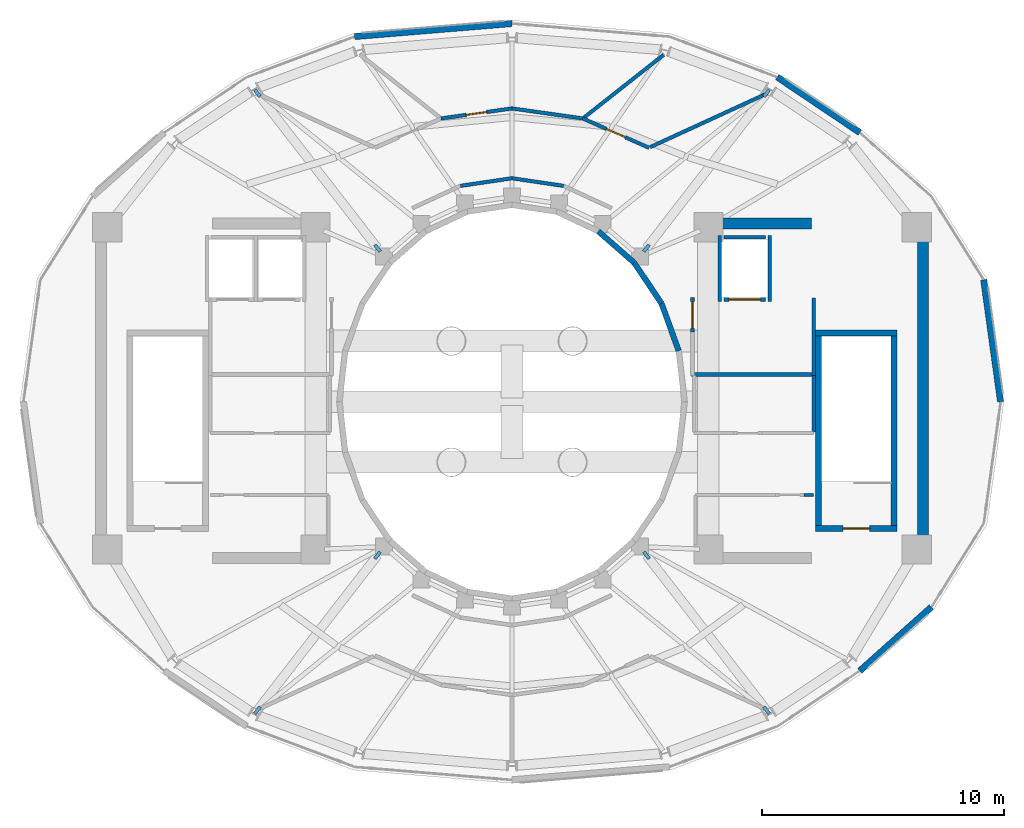
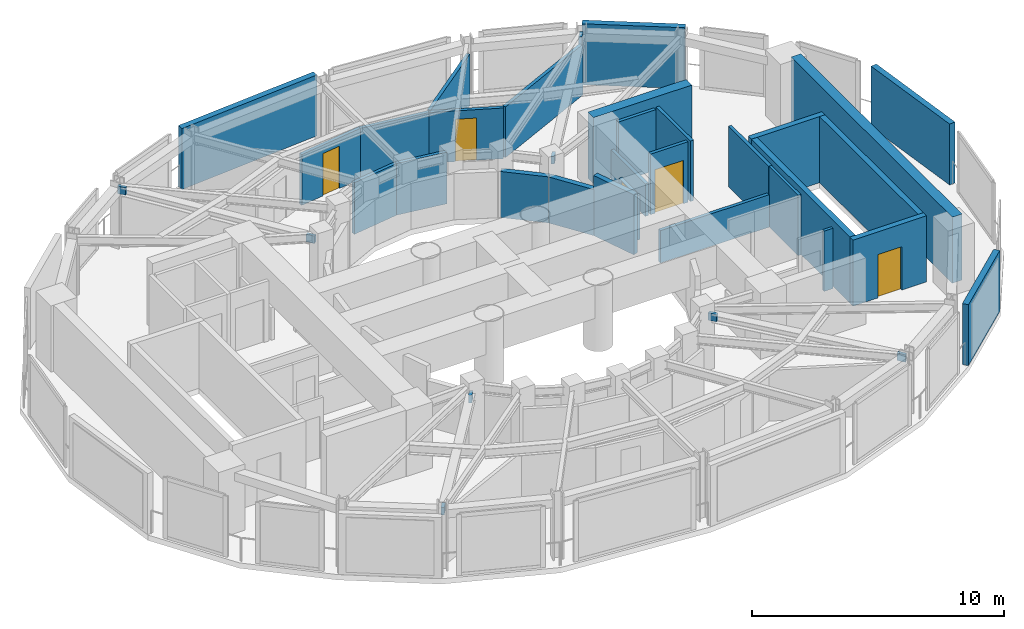
# One storey, part 16 of 17: 29 walls, 8 discrete accessories, 5 doors, 5 openings.
"""IFC4 building model written with IfcOpenShell, lengths in metres."""

from ifc_helpers import new_model, si_unit, direction, frame, frame_2d, origin, origin_2d, place, context, subcontext, project, spatial, rectangle, extrude, material, layer, layer_set, type_object, element, fill, save


model = new_model("IFC4")

# Units and contexts
model_context = context("Model", 3, precision=1e-05, world=origin(), true_north=direction((0.0, 1.0)))
body_context = subcontext(model_context, "Body", "Model", "MODEL_VIEW")
ifc_project = project(units=[si_unit("LENGTHUNIT", "METRE"), si_unit("AREAUNIT", "SQUARE_METRE"), si_unit("VOLUMEUNIT", "CUBIC_METRE"), si_unit("PLANEANGLEUNIT", "RADIAN"), si_unit("MASSUNIT", "GRAM", prefix="KILO")], contexts=[model_context])

# Site, building, storey
site_placement = place(None, origin())
site = spatial("IfcSite", under=ifc_project, at=site_placement, CompositionType="ELEMENT")
building_placement = place(site_placement, origin())
building = spatial("IfcBuilding", under=site, at=building_placement, Name="Solvane Sanctuary Tower", CompositionType="ELEMENT")
storey_placement = place(building_placement, frame((0.0, 0.0, 276.39990234375)))
storey = spatial("IfcBuildingStorey", under=building, at=storey_placement, Name="L84", CompositionType="ELEMENT", Elevation=276.39990234375)

# Walls
ifc_material_1 = material(Name="Concrete C50/60", Category="concrete")
ifc_layer_1 = layer(ifc_material_1, 0.449951171875, Name="Concrete C50/60")
ifc_layer_set_1 = layer_set([ifc_layer_1], Name="Concrete C50/60")
wall_type_1 = type_object("IfcWallType", Name="Wall W-CORE-450", PredefinedType="SHEAR", material=ifc_layer_set_1)
wall_1_placement = place(storey_placement, frame((48.949951171875, 17.050048828125, 0.0), z_axis=(0.0, 0.0, 1.0), x_axis=(0.0, 1.0, 0.0)))
element("IfcWall", 1, at=wall_1_placement, inside=storey, type_object=wall_type_1, Name="L84 Core Shear Wall EC-E", PredefinedType="SHEAR", context=body_context, shape_type="SweptSolid", body=[
    extrude(rectangle(XDim=12.800048828125, YDim=0.449951171875, at=frame_2d((6.39990234375, 0.0))), origin(), (0.0, 0.0, 1.0), 3.2001953125),
])
wall_2_placement = place(storey_placement, frame((39.85009765625, 30.35009765625, 0.0), z_axis=(0.0, 0.0, 1.0), x_axis=(1.0, 0.0, 0.0)))
element("IfcWall", 2, at=wall_2_placement, inside=storey, type_object=wall_type_1, Name="L84 Core Shear Wall EC-N", PredefinedType="SHEAR", context=body_context, shape_type="SweptSolid", body=[
    extrude(rectangle(XDim=4.5, YDim=0.449951171875, at=frame_2d((2.25, 0.0))), origin(), (0.0, 0.0, 1.0), 3.2001953125),
])
ifc_material_2 = material(Name="Acoustic Gypsum Partition Board")
ifc_layer_2 = layer(ifc_material_2, 0.14990234375, Name="Acoustic Gypsum Partition Board")
ifc_layer_set_2 = layer_set([ifc_layer_2], Name="Acoustic Gypsum Partition Board")
wall_type_2 = type_object("IfcWallType", Name="Wall W-CORR-150", PredefinedType="PARTITIONING", material=ifc_layer_set_2)
wall_3_placement = place(storey_placement, frame((39.39990234375, 24.1201171875, 0.0), z_axis=(0.0, 0.0, 1.0), x_axis=(1.0, 0.0, 0.0)))
element("IfcWall", 3, at=wall_3_placement, inside=storey, type_object=wall_type_2, Name="L84 East Firefighting Lobby South Wall", PredefinedType="PARTITIONING", context=body_context, shape_type="SweptSolid", body=[
    extrude(rectangle(XDim=5.080078125, YDim=0.14990234375, at=frame_2d((2.5400390625, 0.0))), origin(), (0.0, 0.0, 1.0), 1.570068359375),
])
wall_4_placement = place(storey_placement, frame((44.449951171875, 24.080078125, 0.0), z_axis=(0.0, 0.0, 1.0), x_axis=(0.0, 1.0, 0.0)))
element("IfcWall", 4, at=wall_4_placement, inside=storey, type_object=wall_type_2, Name="L84 East Firefighting Lobby East Wall", PredefinedType="PARTITIONING", context=body_context, shape_type="SweptSolid", body=[
    extrude(rectangle(XDim=3.199951171875, YDim=0.14990234375, at=frame_2d((1.60009765625, 0.0))), origin(), (0.0, 0.0, 1.0), 2.925048828125),
])

# Wall, opening, door
wall_5_placement = place(storey_placement, frame((39.449951171875, 25.87109375, 0.0), z_axis=(0.0, 0.0, 1.0), x_axis=(0.0, 1.0, 0.0)))
wall_5 = element("IfcWall", 5, at=wall_5_placement, inside=storey, type_object=wall_type_2, Name="L84 East Firefighting Lobby West Wall", PredefinedType="PARTITIONING", context=body_context, shape_type="SweptSolid", body=[
    extrude(rectangle(XDim=1.419921875, YDim=0.14990234375, at=frame_2d((0.7099609375, 0.0))), origin(), (0.0, 0.0, 1.0), 2.16015625),
])
opening_1_placement = place(wall_5_placement, frame((0.159912109375, 0.0, 0.0)))
opening_1 = element("IfcOpeningElement", 6, at=opening_1_placement, cuts=wall_5, Name="Opening D-L84-04", PredefinedType="OPENING", context=body_context, shape_type="SweptSolid", body=[
    extrude(rectangle(XDim=1.10009765625, YDim=2.10009765625, at=frame_2d((0.550048828125, 1.050048828125))), frame((0.0, 0.0849609375, 0.0), z_axis=(0.0, -1.0, 0.0), x_axis=(1.0, 0.0, 0.0)), (0.0, 0.0, 1.0), 0.169921875),
])
ifc_material_3 = material(Name="Architectural Stainless Steel 316", Category="steel")
door_type_1 = type_object("IfcDoorType", Name="Door D-FFL", OperationType="NOTDEFINED", PredefinedType="DOOR", material=ifc_material_3)
door_1_placement = place(opening_1_placement, origin())
door_1 = element("IfcDoor", 7, at=door_1_placement, inside=storey, type_object=door_type_1, Name="L84 East Firefighting Lobby Fire Door", OperationType="SINGLE_SWING_LEFT", OverallHeight=2.10009765625, OverallWidth=1.10009765625, PredefinedType="DOOR", context=body_context, shape_type="SweptSolid", body=[
    extrude(rectangle(XDim=1.10009765625, YDim=2.10009765625, at=frame_2d((0.550048828125, 1.050048828125))), frame((0.0, 0.02490234375, 0.0), z_axis=(0.0, -1.0, 0.0), x_axis=(1.0, 0.0, 0.0)), (0.0, 0.0, 1.0), 0.050048828125),
])
fill(opening_1, door_1)

# Walls
for number, where, z_axis, x_axis, name in (
    (8, (34.12744140625, 31.90576171875, 0.0), (0.0, 0.0, 1.0), (-0.989268584896, 0.146108408166, 0.0), "L84 Light-Well Corridor Rim Wall N2"),
    (9, (32.0, 32.219970703125, 0.0), (0.0, 0.0, 1.0), (-0.989268584896, -0.146108408166, 0.0), "L84 Light-Well Corridor Rim Wall N3"),
):
    element("IfcWall", number, at=place(storey_placement, frame(where, z_axis=z_axis, x_axis=x_axis)), inside=storey, type_object=wall_type_2, Name=name, PredefinedType="PARTITIONING", context=body_context, shape_type="SweptSolid", body=[
        extrude(rectangle(XDim=2.150634765625, YDim=0.14990234375, at=frame_2d((1.0751953125, 0.0))), origin(), (0.0, 0.0, 1.0), 2.5009765625),
    ])
wall_6_placement = place(storey_placement, frame((37.699951171875, 33.501953125, 0.0), z_axis=(0.0, 0.0, 1.0), x_axis=(0.908705087361, 0.417438695144, 0.0)))
element("IfcWall", 10, at=wall_6_placement, inside=storey, type_object=wall_type_2, Name="L84 Mechanical Plant Radial Wall 060", PredefinedType="PARTITIONING", context=body_context, shape_type="SweptSolid", body=[
    extrude(rectangle(XDim=5.3173828125, YDim=0.14990234375, at=frame_2d((2.65869140625, 0.0))), origin(), (0.0, 0.0, 1.0), 2.455078125),
])
wall_7_placement = place(storey_placement, frame((34.968017578125, 34.7216796875, 0.0), z_axis=(0.0, 0.0, 1.0), x_axis=(0.785483941074, 0.618882039096, 0.0)))
element("IfcWall", 11, at=wall_7_placement, inside=storey, type_object=wall_type_2, Name="L84 Mechanical Plant Radial Wall 075", PredefinedType="PARTITIONING", context=body_context, shape_type="SweptSolid", body=[
    extrude(rectangle(XDim=4.186767578125, YDim=0.14990234375, at=frame_2d((2.09326171875, 0.0))), origin(), (0.0, 0.0, 1.0), 2.5009765625),
])

# Wall, opening, door
wall_8_placement = place(storey_placement, frame((37.65673828125, 33.474609375, 0.0), z_axis=(0.0, 0.0, 1.0), x_axis=(-0.914100192658, 0.405488394141, 0.0)))
wall_8 = element("IfcWall", 12, at=wall_8_placement, inside=storey, type_object=wall_type_2, Name="L84 Plant Corridor Wall 1", PredefinedType="PARTITIONING", context=body_context, shape_type="SweptSolid", body=[
    extrude(rectangle(XDim=2.997314453125, YDim=0.14990234375, at=frame_2d((1.49853515625, 0.0))), origin(), (0.0, 0.0, 1.0), 2.455078125),
])
opening_2_placement = place(wall_8_placement, frame((1.073486328125, 0.0, 0.0)))
opening_2 = element("IfcOpeningElement", 13, at=opening_2_placement, cuts=wall_8, Name="Opening D-L84-09", PredefinedType="OPENING", context=body_context, shape_type="SweptSolid", body=[
    extrude(rectangle(XDim=0.85009765625, YDim=2.050048828125, at=frame_2d((0.425048828125, 1.02490234375))), frame((0.0, 0.0849609375, 0.0), z_axis=(0.0, -1.0, 0.0), x_axis=(1.0, 0.0, 0.0)), (0.0, 0.0, 1.0), 0.169921875),
])
door_type_2 = type_object("IfcDoorType", Name="Door D-RISER", OperationType="NOTDEFINED", PredefinedType="DOOR", material=ifc_material_3)
door_2_placement = place(opening_2_placement, origin())
door_2 = element("IfcDoor", 14, at=door_2_placement, inside=storey, type_object=door_type_2, Name="L84 Plant Room Door 1", OperationType="SINGLE_SWING_RIGHT", OverallHeight=2.050048828125, OverallWidth=0.85009765625, PredefinedType="DOOR", context=body_context, shape_type="SweptSolid", body=[
    extrude(rectangle(XDim=0.85009765625, YDim=2.050048828125, at=frame_2d((0.425048828125, 1.02490234375))), frame((0.0, 0.02490234375, 0.0), z_axis=(0.0, -1.0, 0.0), x_axis=(1.0, 0.0, 0.0)), (0.0, 0.0, 1.0), 0.050048828125),
])
fill(opening_2, door_2)

# Wall
wall_9_placement = place(storey_placement, frame((34.932373046875, 34.685546875, 0.0), z_axis=(0.0, 0.0, 1.0), x_axis=(-0.990167445312, 0.139887205436, 0.0)))
element("IfcWall", 15, at=wall_9_placement, inside=storey, type_object=wall_type_2, Name="L84 Plant Corridor Wall 2", PredefinedType="PARTITIONING", context=body_context, shape_type="SweptSolid", body=[
    extrude(rectangle(XDim=2.96337890625, YDim=0.14990234375, at=frame_2d((1.481689453125, 0.0))), origin(), (0.0, 0.0, 1.0), 2.455078125),
])

# Wall, opening, door
wall_10_placement = place(storey_placement, frame((32.001953125, 35.10009765625, 0.0), z_axis=(0.0, 0.0, 1.0), x_axis=(-0.990167445312, -0.139887205436, 0.0)))
wall_10 = element("IfcWall", 16, at=wall_10_placement, inside=storey, type_object=wall_type_2, Name="L84 Plant Corridor Wall 2", PredefinedType="PARTITIONING", context=body_context, shape_type="SweptSolid", body=[
    extrude(rectangle(XDim=2.96337890625, YDim=0.14990234375, at=frame_2d((1.481689453125, 0.0))), origin(), (0.0, 0.0, 1.0), 2.455078125),
])
opening_3_placement = place(wall_10_placement, frame((1.056640625, 0.0, 0.0)))
opening_3 = element("IfcOpeningElement", 17, at=opening_3_placement, cuts=wall_10, Name="Opening D-L84-10", PredefinedType="OPENING", context=body_context, shape_type="SweptSolid", body=[
    extrude(rectangle(XDim=0.85009765625, YDim=2.050048828125, at=frame_2d((0.425048828125, 1.02490234375))), frame((0.0, 0.0849609375, 0.0), z_axis=(0.0, -1.0, 0.0), x_axis=(1.0, 0.0, 0.0)), (0.0, 0.0, 1.0), 0.169921875),
])
door_3_placement = place(opening_3_placement, origin())
door_3 = element("IfcDoor", 18, at=door_3_placement, inside=storey, type_object=door_type_2, Name="L84 Plant Room Door 2", OperationType="SINGLE_SWING_LEFT", OverallHeight=2.050048828125, OverallWidth=0.85009765625, PredefinedType="DOOR", context=body_context, shape_type="SweptSolid", body=[
    extrude(rectangle(XDim=0.85009765625, YDim=2.050048828125, at=frame_2d((0.425048828125, 1.02490234375))), frame((0.0, 0.02490234375, 0.0), z_axis=(0.0, -1.0, 0.0), x_axis=(1.0, 0.0, 0.0)), (0.0, 0.0, 1.0), 0.050048828125),
])
fill(opening_3, door_3)

# Walls
ifc_material_4 = material(Name="Precast concrete C40/50", Category="concrete")
ifc_layer_3 = layer(ifc_material_4, 0.260009765625, Name="Precast concrete C40/50")
ifc_layer_set_3 = layer_set([ifc_layer_3], Name="Precast concrete C40/50")
wall_type_3 = type_object("IfcWallType", Name="Wall W-EXT-250", PredefinedType="STANDARD", material=ifc_layer_set_3)
wall_11_placement = place(storey_placement, frame((52.159912109375, 23.0, 0.0), z_axis=(0.0, 0.0, 1.0), x_axis=(-0.137231475917, 0.990539005803, 0.0)))
element("IfcWall", 19, at=wall_11_placement, inside=storey, type_object=wall_type_3, Name="L84 Crown Acoustic Louvred Wall 00", PredefinedType="STANDARD", context=body_context, shape_type="SweptSolid", body=[
    extrude(rectangle(XDim=5.07568359375, YDim=0.260009765625, at=frame_2d((2.537841796875, 0.0))), origin(), (0.0, 0.0, 1.0), 2.9501953125),
])
wall_12_placement = place(storey_placement, frame((46.347900390625, 34.106201171875, 0.0), z_axis=(0.0, 0.0, 1.0), x_axis=(-0.829890129343, 0.557926852929, 0.0)))
element("IfcWall", 20, at=wall_12_placement, inside=storey, type_object=wall_type_3, Name="L84 Crown Acoustic Louvred Wall 03", PredefinedType="STANDARD", context=body_context, shape_type="SweptSolid", body=[
    extrude(rectangle(XDim=4.097900390625, YDim=0.260009765625, at=frame_2d((2.048828125, 0.0))), origin(), (0.0, 0.0, 1.0), 2.9501953125),
])
wall_13_placement = place(storey_placement, frame((32.0, 38.60498046875, 0.0), z_axis=(0.0, 0.0, 1.0), x_axis=(-0.996573859149, -0.082707576809, 0.0)))
element("IfcWall", 21, at=wall_13_placement, inside=storey, type_object=wall_type_3, Name="L84 Crown Acoustic Louvred Wall 06", PredefinedType="STANDARD", context=body_context, shape_type="SweptSolid", body=[
    extrude(rectangle(XDim=6.517578125, YDim=0.260009765625, at=frame_2d((3.2587890625, 0.0))), origin(), (0.0, 0.0, 1.0), 2.9501953125),
])
wall_14_placement = place(storey_placement, frame((46.347900390625, 11.893798828125, 0.0), z_axis=(0.0, 0.0, 1.0), x_axis=(0.746567900399, 0.665309228926, 0.0)))
element("IfcWall", 22, at=wall_14_placement, inside=storey, type_object=wall_type_3, Name="L84 Crown Acoustic Louvred Wall 21", PredefinedType="STANDARD", context=body_context, shape_type="SweptSolid", body=[
    extrude(rectangle(XDim=3.95703125, YDim=0.260009765625, at=frame_2d((1.978515625, 0.0))), origin(), (0.0, 0.0, 1.0), 2.9501953125),
])
ifc_layer_4 = layer(ifc_material_4, 0.22998046875, Name="Precast concrete C40/50")
ifc_layer_set_4 = layer_set([ifc_layer_4], Name="Precast concrete C40/50")
wall_type_4 = type_object("IfcWallType", Name="Wall W-EXT-SP220", PredefinedType="STANDARD", material=ifc_layer_set_4)
wall_15_placement = place(storey_placement, frame((38.87744140625, 25.1015625, 0.0), z_axis=(0.0, 0.0, 1.0), x_axis=(-0.341423187295, 0.93990968033, 0.0)))
element("IfcWall", 23, at=wall_15_placement, inside=storey, type_object=wall_type_4, Name="L84 Central Light-Well Wall 01", PredefinedType="STANDARD", context=body_context, shape_type="SweptSolid", body=[
    extrude(rectangle(XDim=2.083740234375, YDim=0.22998046875, at=frame_2d((1.0419921875, 0.0))), origin(), (0.0, 0.0, 1.0), 2.91015625),
])
wall_16_placement = place(storey_placement, frame((38.166015625, 27.06005859375, 0.0), z_axis=(0.0, 0.0, 1.0), x_axis=(-0.558197800898, 0.829707909492, 0.0)))
element("IfcWall", 24, at=wall_16_placement, inside=storey, type_object=wall_type_4, Name="L84 Central Light-Well Wall 02", PredefinedType="STANDARD", context=body_context, shape_type="SweptSolid", body=[
    extrude(rectangle(XDim=2.02685546875, YDim=0.22998046875, at=frame_2d((1.013427734375, 0.0))), origin(), (0.0, 0.0, 1.0), 2.22998046875),
])
wall_17_placement = place(storey_placement, frame((37.03466796875, 28.74169921875, 0.0), z_axis=(0.0, 0.0, 1.0), x_axis=(-0.752576694707, 0.658504607869, 0.0)))
element("IfcWall", 25, at=wall_17_placement, inside=storey, type_object=wall_type_4, Name="L84 Central Light-Well Wall 03", PredefinedType="STANDARD", context=body_context, shape_type="SweptSolid", body=[
    extrude(rectangle(XDim=1.95947265625, YDim=0.22998046875, at=frame_2d((0.979736328125, 0.0))), origin(), (0.0, 0.0, 1.0), 2.22998046875),
])
ifc_layer_5 = layer(ifc_material_2, 0.125, Name="Acoustic Gypsum Partition Board")
ifc_layer_set_5 = layer_set([ifc_layer_5], Name="Acoustic Gypsum Partition Board")
wall_type_5 = type_object("IfcWallType", Name="Wall W-PART-125", PredefinedType="PARTITIONING", material=ifc_layer_set_5)
wall_18_placement = place(storey_placement, frame((44.0400390625, 19.159912109375, 0.0), z_axis=(0.0, 0.0, 1.0), x_axis=(1.0, 0.0, 0.0)))
element("IfcWall", 26, at=wall_18_placement, inside=storey, type_object=wall_type_5, Name="L84 Reclaimed Room Partition PLE", PredefinedType="PARTITIONING", context=body_context, shape_type="SweptSolid", body=[
    extrude(rectangle(XDim=0.409912109375, YDim=0.125, at=frame_2d((0.205078125, 0.0))), origin(), (0.0, 0.0, 1.0), 2.925048828125),
])
wall_19_placement = place(storey_placement, frame((44.449951171875, 21.760009765625, 0.0), z_axis=(0.0, 0.0, 1.0), x_axis=(0.0, 1.0, 0.0)))
element("IfcWall", 27, at=wall_19_placement, inside=storey, type_object=wall_type_5, Name="L84 Reclaimed Room Closer Wall PME-2", PredefinedType="PARTITIONING", context=body_context, shape_type="SweptSolid", body=[
    extrude(rectangle(XDim=2.320068359375, YDim=0.125, at=frame_2d((1.16015625, 0.0))), origin(), (0.0, 0.0, 1.0), 2.925048828125),
])

# Wall, opening, door
ifc_layer_6 = layer(ifc_material_1, 0.14990234375, Name="Concrete C50/60")
ifc_layer_set_6 = layer_set([ifc_layer_6], Name="Concrete C50/60")
wall_type_6 = type_object("IfcWallType", Name="Wall W-SHAFT-150", PredefinedType="SOLIDWALL", material=ifc_layer_set_6)
wall_20_placement = place(storey_placement, frame((40.739990234375, 27.219970703125, 0.0), z_axis=(0.0, 0.0, 1.0), x_axis=(1.0, 0.0, 0.0)))
wall_20 = element("IfcWall", 28, at=wall_20_placement, inside=storey, type_object=wall_type_6, Name="L84 FFL-2 Lift Shaft Wall F", PredefinedType="SOLIDWALL", context=body_context, shape_type="SweptSolid", body=[
    extrude(rectangle(XDim=1.719970703125, YDim=0.14990234375, at=frame_2d((0.85986328125, 0.0))), origin(), (0.0, 0.0, 1.0), 2.925048828125),
])
opening_4_placement = place(wall_20_placement, frame((0.2099609375, 0.0, 0.0)))
opening_4 = element("IfcOpeningElement", 29, at=opening_4_placement, cuts=wall_20, Name="Opening LD-L84-03", PredefinedType="OPENING", context=body_context, shape_type="SweptSolid", body=[
    extrude(rectangle(XDim=1.300048828125, YDim=2.10009765625, at=frame_2d((0.64990234375, 1.050048828125))), frame((0.0, 0.0849609375, 0.0), z_axis=(0.0, -1.0, 0.0), x_axis=(1.0, 0.0, 0.0)), (0.0, 0.0, 1.0), 0.169921875),
])
door_type_3 = type_object("IfcDoorType", Name="Door LD-FFL-1300", OperationType="NOTDEFINED", PredefinedType="DOOR", material=ifc_material_3)
door_4_placement = place(opening_4_placement, origin())
door_4 = element("IfcDoor", 30, at=door_4_placement, inside=storey, type_object=door_type_3, Name="L84 FFL-2 Lift Landing Door", OperationType="DOUBLE_DOOR_SLIDING", OverallHeight=2.10009765625, OverallWidth=1.300048828125, PredefinedType="DOOR", context=body_context, shape_type="SweptSolid", body=[
    extrude(rectangle(XDim=1.300048828125, YDim=2.10009765625, at=frame_2d((0.64990234375, 1.050048828125))), frame((0.0, 0.02490234375, 0.0), z_axis=(0.0, -1.0, 0.0), x_axis=(1.0, 0.0, 0.0)), (0.0, 0.0, 1.0), 0.050048828125),
])
fill(opening_4, door_4)

# Walls
wall_21_placement = place(storey_placement, frame((40.739990234375, 29.780029296875, 0.0), z_axis=(0.0, 0.0, 1.0), x_axis=(1.0, 0.0, 0.0)))
element("IfcWall", 31, at=wall_21_placement, inside=storey, type_object=wall_type_6, Name="L84 FFL-2 Lift Shaft Wall B", PredefinedType="SOLIDWALL", context=body_context, shape_type="SweptSolid", body=[
    extrude(rectangle(XDim=1.719970703125, YDim=0.14990234375, at=frame_2d((0.85986328125, 0.0))), origin(), (0.0, 0.0, 1.0), 2.925048828125),
])
wall_22_placement = place(storey_placement, frame((40.570068359375, 27.139892578125, 0.0), z_axis=(0.0, 0.0, 1.0), x_axis=(0.0, 1.0, 0.0)))
element("IfcWall", 32, at=wall_22_placement, inside=storey, type_object=wall_type_6, Name="L84 FFL-2 Lift Shaft Wall S1", PredefinedType="SOLIDWALL", context=body_context, shape_type="SweptSolid", body=[
    extrude(rectangle(XDim=2.72021484375, YDim=0.14990234375, at=frame_2d((1.360107421875, 0.0))), origin(), (0.0, 0.0, 1.0), 1.570068359375),
])
wall_23_placement = place(storey_placement, frame((42.6298828125, 27.139892578125, 0.0), z_axis=(0.0, 0.0, 1.0), x_axis=(0.0, 1.0, 0.0)))
element("IfcWall", 33, at=wall_23_placement, inside=storey, type_object=wall_type_6, Name="L84 FFL-2 Lift Shaft Wall S2", PredefinedType="SOLIDWALL", context=body_context, shape_type="SweptSolid", body=[
    extrude(rectangle(XDim=2.72021484375, YDim=0.14990234375, at=frame_2d((1.360107421875, 0.0))), origin(), (0.0, 0.0, 1.0), 2.925048828125),
])

# Wall, opening, door
ifc_layer_7 = layer(ifc_material_1, 0.25, Name="Concrete C50/60")
ifc_layer_set_7 = layer_set([ifc_layer_7], Name="Concrete C50/60")
wall_type_7 = type_object("IfcWallType", Name="Wall W-SHAFT-250", PredefinedType="SOLIDWALL", material=ifc_layer_set_7)
wall_24_placement = place(storey_placement, frame((44.52490234375, 17.77001953125, 0.0), z_axis=(0.0, 0.0, 1.0), x_axis=(1.0, 0.0, 0.0)))
wall_24 = element("IfcWall", 34, at=wall_24_placement, inside=storey, type_object=wall_type_7, Name="L84 ST-2 Load-Bearing Shaft Wall S", PredefinedType="SOLIDWALL", context=body_context, shape_type="SweptSolid", body=[
    extrude(rectangle(XDim=3.3701171875, YDim=0.25, at=frame_2d((1.68505859375, 0.0))), origin(), (0.0, 0.0, 1.0), 3.2001953125),
])
opening_5_placement = place(wall_24_placement, frame((1.135009765625, 0.0, 0.0)))
opening_5 = element("IfcOpeningElement", 35, at=opening_5_placement, cuts=wall_24, Name="Opening D-L84-02", PredefinedType="OPENING", context=body_context, shape_type="SweptSolid", body=[
    extrude(rectangle(XDim=1.10009765625, YDim=2.10009765625, at=frame_2d((0.550048828125, 1.050048828125))), frame((0.0, 0.135009765625, 0.0), z_axis=(0.0, -1.0, 0.0), x_axis=(1.0, 0.0, 0.0)), (0.0, 0.0, 1.0), 0.27001953125),
])
door_type_4 = type_object("IfcDoorType", Name="Door D-STAIR", OperationType="NOTDEFINED", PredefinedType="DOOR", material=ifc_material_3)
door_5_placement = place(opening_5_placement, origin())
door_5 = element("IfcDoor", 36, at=door_5_placement, inside=storey, type_object=door_type_4, Name="L84 ST-2 Exit Stair Fire Door", OperationType="SINGLE_SWING_RIGHT", OverallHeight=2.10009765625, OverallWidth=1.10009765625, PredefinedType="DOOR", context=body_context, shape_type="SweptSolid", body=[
    extrude(rectangle(XDim=1.10009765625, YDim=2.10009765625, at=frame_2d((0.550048828125, 1.050048828125))), frame((0.0, 0.02490234375, 0.0), z_axis=(0.0, -1.0, 0.0), x_axis=(1.0, 0.0, 0.0)), (0.0, 0.0, 1.0), 0.050048828125),
])
fill(opening_5, door_5)

# Walls
wall_25_placement = place(storey_placement, frame((44.52490234375, 25.830078125, 0.0), z_axis=(0.0, 0.0, 1.0), x_axis=(1.0, 0.0, 0.0)))
element("IfcWall", 37, at=wall_25_placement, inside=storey, type_object=wall_type_7, Name="L84 ST-2 Load-Bearing Shaft Wall N", PredefinedType="SOLIDWALL", context=body_context, shape_type="SweptSolid", body=[
    extrude(rectangle(XDim=3.3701171875, YDim=0.25, at=frame_2d((1.68505859375, 0.0))), origin(), (0.0, 0.0, 1.0), 3.2001953125),
])
for number, where, z_axis, x_axis, name in (
    (38, (44.64990234375, 17.89501953125, 0.0), (0.0, 0.0, 1.0), (0.0, 1.0, 0.0), "L84 ST-2 Load-Bearing Shaft Wall W"),
    (39, (47.77001953125, 17.89501953125, 0.0), (0.0, 0.0, 1.0), (0.0, 1.0, 0.0), "L84 ST-2 Load-Bearing Shaft Wall E"),
):
    element("IfcWall", number, at=place(storey_placement, frame(where, z_axis=z_axis, x_axis=x_axis)), inside=storey, type_object=wall_type_7, Name=name, PredefinedType="SOLIDWALL", context=body_context, shape_type="SweptSolid", body=[
        extrude(rectangle(XDim=7.81005859375, YDim=0.25, at=frame_2d((3.905029296875, 0.0))), origin(), (0.0, 0.0, 1.0), 3.2001953125),
    ])

# Discrete accessories
ifc_material_5 = material(Name="Steel ASTM A572 Grade 50", Category="steel")
ifc_layer_8 = layer(ifc_material_5, 0.360107421875, Name="Steel ASTM A572 Grade 50")
ifc_layer_set_8 = layer_set([ifc_layer_8], Name="Steel ASTM A572 Grade 50")
discrete_accessory_type = type_object("IfcDiscreteAccessoryType", Name="Accessory ACC-GUSSET-BRK", PredefinedType="BRACKET", material=ifc_layer_set_8)
for number, where, z_axis, x_axis, name in (
    (40, (37.54931640625, 29.3359375, 2.36083984375), (0.0, 0.0, 1.0), (0.612493245459, 0.790475821431, 0.0), "L84 Crown Bracing Tie 01 End Gusset Bracket A"),
    (41, (42.501708984375, 35.726806640625, 2.55517578125), (0.0, 0.0, 1.0), (0.612493245459, 0.790475821431, 0.0), "L84 Crown Bracing Tie 01 End Gusset Bracket B"),
    (42, (26.45068359375, 29.3359375, 2.36083984375), (0.0, 0.0, 1.0), (-0.612493245459, 0.790475821431, 0.0), "L84 Crown Bracing Tie 07 End Gusset Bracket A"),
    (43, (21.498291015625, 35.726806640625, 2.55517578125), (0.0, 0.0, 1.0), (-0.612493245459, 0.790475821431, 0.0), "L84 Crown Bracing Tie 07 End Gusset Bracket B"),
    (44, (26.45068359375, 16.6640625, 2.36083984375), (0.0, 0.0, 1.0), (-0.612493245459, -0.790475821431, 0.0), "L84 Crown Bracing Tie 08 End Gusset Bracket A"),
    (45, (21.498291015625, 10.273193359375, 2.55517578125), (0.0, 0.0, 1.0), (-0.612493245459, -0.790475821431, 0.0), "L84 Crown Bracing Tie 08 End Gusset Bracket B"),
    (46, (37.54931640625, 16.6640625, 2.36083984375), (0.0, 0.0, 1.0), (0.612493245459, -0.790475821431, 0.0), "L84 Crown Bracing Tie 14 End Gusset Bracket A"),
    (47, (42.501708984375, 10.273193359375, 2.55517578125), (0.0, 0.0, 1.0), (0.612493245459, -0.790475821431, 0.0), "L84 Crown Bracing Tie 14 End Gusset Bracket B"),
):
    element("IfcDiscreteAccessory", number, at=place(storey_placement, frame(where, z_axis=z_axis, x_axis=x_axis)), inside=storey, type_object=discrete_accessory_type, Name=name, PredefinedType="BRACKET", context=body_context, shape_type="SweptSolid", body=[
        extrude(rectangle(XDim=0.360107421875, YDim=0.139892578125, at=origin_2d()), origin(), (0.0, 0.0, 1.0), 0.360107421875),
    ])

save(model, "model.ifc")
